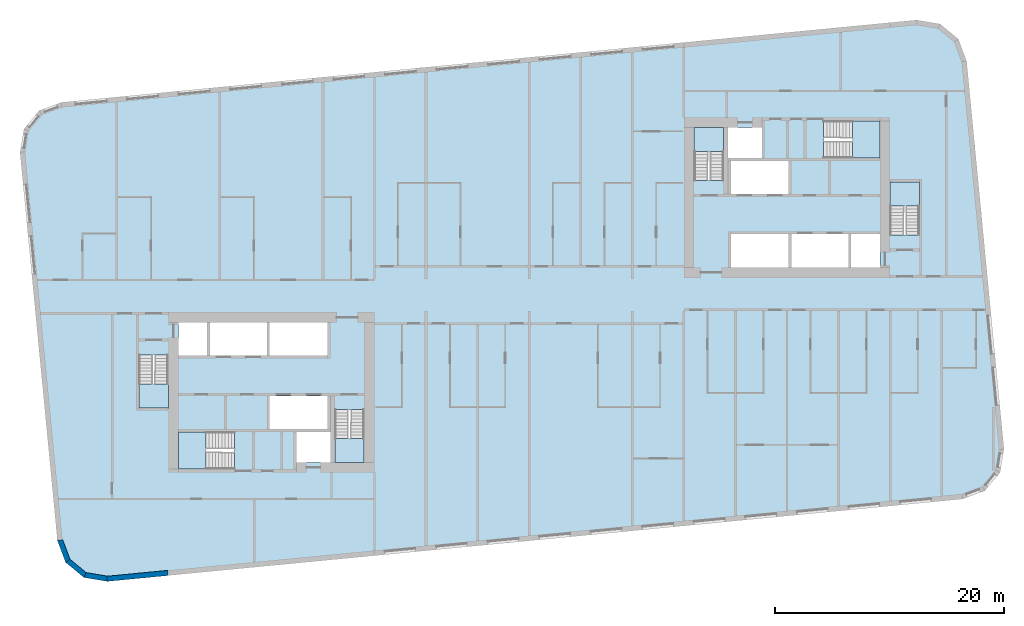
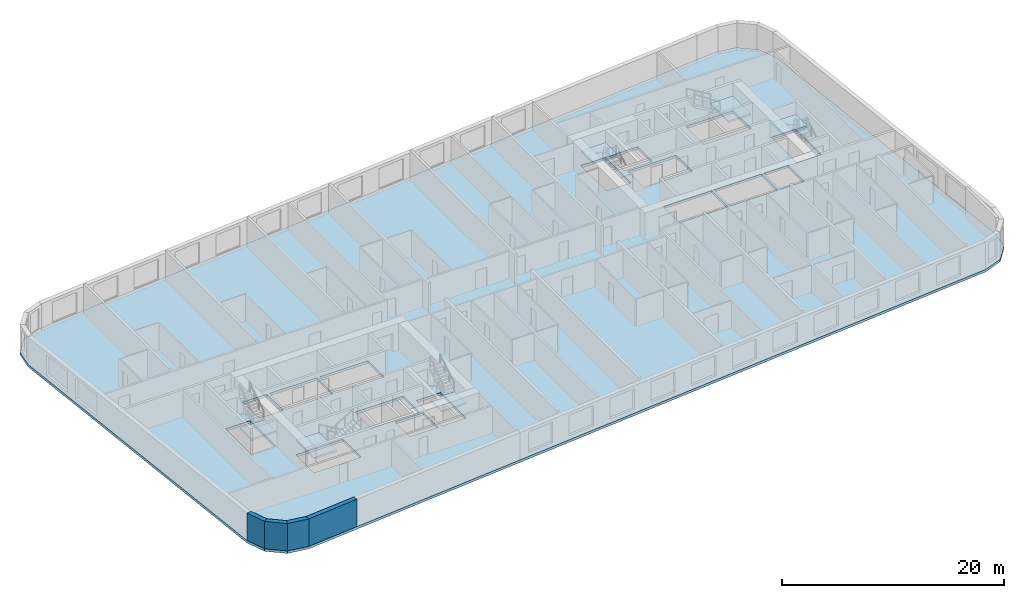
# One storey, part 1 of 12: 7 slabs, 4 walls, 6 elements without a shape of their own.
"""IFC4 building model written with IfcOpenShell, lengths in metres."""

from ifc_helpers import new_model, si_unit, direction, frame, frame_2d, origin, place, context, subcontext, project, spatial, polyline, rectangle, outline, extrude, material, layer, layer_set, type_object, element, aggregate, save


model = new_model("IFC4")

# Units and contexts
model_context = context("Model", 3, precision=1e-05, world=origin(), true_north=direction((0.0, 1.0)))
body_context = subcontext(model_context, "Body", "Model", "MODEL_VIEW")
ifc_project = project(units=[si_unit("LENGTHUNIT", "METRE"), si_unit("AREAUNIT", "SQUARE_METRE"), si_unit("VOLUMEUNIT", "CUBIC_METRE"), si_unit("PLANEANGLEUNIT", "RADIAN"), si_unit("MASSUNIT", "GRAM", prefix="KILO")], contexts=[model_context])

# Site, building, storey
site_placement = place(None, origin())
site = spatial("IfcSite", under=ifc_project, at=site_placement, CompositionType="ELEMENT")
building_placement = place(site_placement, origin())
building = spatial("IfcBuilding", under=site, at=building_placement, Name="Kajstack Hotel Tower", CompositionType="ELEMENT")
storey_placement = place(building_placement, frame((0.0, 0.0, 193.300048828125)))
storey = spatial("IfcBuildingStorey", under=building, at=storey_placement, Name="L46", CompositionType="ELEMENT", Elevation=193.300048828125)

# Slab
ifc_material_1 = material(Name="Concrete C40/50", Category="concrete")
ifc_layer_1 = layer(ifc_material_1, 0.280029296875)
ifc_layer_set_1 = layer_set([ifc_layer_1], Name="RC slab 280 C40/50 guest")
slab_type_1 = type_object("IfcSlabType", Name="RC slab 280 C40/50 guest", PredefinedType="FLOOR", material=ifc_layer_set_1)
slab_1_placement = place(storey_placement, frame((0.0, 0.0, -0.280029296875)))
element("IfcSlab", 1, at=slab_1_placement, inside=storey, type_object=slab_type_1, Name="S-slab-L46", PredefinedType="FLOOR", context=body_context, shape_type="SweptSolid", body=[
    extrude(outline(polyline([(-44.438232421875, 12.444091796875), (-41.1796875, -21.3994140625), (-40.454345703125, -23.3388671875), (-38.856689453125, -24.65576171875), (-36.814697265625, -24.99755859375), (37.840087890625, -17.80908203125), (39.779541015625, -17.083984375), (41.0966796875, -15.486328125), (41.438232421875, -13.444091796875), (38.1796875, 20.3994140625), (37.454345703125, 22.3388671875), (35.856689453125, 23.65576171875), (33.814697265625, 23.99755859375), (-40.840087890625, 16.80908203125), (-42.779541015625, 16.083984375), (-44.0966796875, 14.486328125), (-44.438232421875, 12.444091796875)]), holes=[polyline([(-22.64990234375, -11.699951171875), (-22.64990234375, -8.800048828125), (-17.60009765625, -8.800048828125), (-17.60009765625, -11.699951171875), (-22.64990234375, -11.699951171875)]), polyline([(-27.85009765625, -5.300048828125), (-27.85009765625, -2.39990234375), (-22.89990234375, -2.39990234375), (-22.89990234375, -5.300048828125), (-27.85009765625, -5.300048828125)]), polyline([(-22.64990234375, -5.300048828125), (-22.64990234375, -2.39990234375), (-17.60009765625, -2.39990234375), (-17.60009765625, -5.300048828125), (-22.64990234375, -5.300048828125)]), polyline([(-20.300048828125, -14.60009765625), (-17.35009765625, -14.60009765625), (-17.35009765625, -11.949951171875), (-20.300048828125, -11.949951171875), (-20.300048828125, -14.60009765625)]), polyline([(-30.60009765625, -5.300048828125), (-28.10009765625, -5.300048828125), (-28.10009765625, -2.39990234375), (-30.60009765625, -2.39990234375), (-30.60009765625, -5.300048828125)]), polyline([(17.60009765625, 8.800048828125), (17.60009765625, 11.699951171875), (22.64990234375, 11.699951171875), (22.64990234375, 8.800048828125), (17.60009765625, 8.800048828125)]), polyline([(22.89990234375, 2.39990234375), (22.89990234375, 5.300048828125), (27.85009765625, 5.300048828125), (27.85009765625, 2.39990234375), (22.89990234375, 2.39990234375)]), polyline([(17.60009765625, 2.39990234375), (17.60009765625, 5.300048828125), (22.64990234375, 5.300048828125), (22.64990234375, 2.39990234375), (17.60009765625, 2.39990234375)]), polyline([(20.300048828125, 14.60009765625), (17.35009765625, 14.60009765625), (17.35009765625, 11.949951171875), (20.300048828125, 11.949951171875), (20.300048828125, 14.60009765625)]), polyline([(30.60009765625, 5.300048828125), (28.10009765625, 5.300048828125), (28.10009765625, 2.39990234375), (30.60009765625, 2.39990234375), (30.60009765625, 5.300048828125)]), polyline([(-34.050048828125, -9.85009765625), (-31.5, -9.85009765625), (-31.5, -5.25), (-34.050048828125, -5.25), (-34.050048828125, -9.85009765625)]), polyline([(-16.949951171875, -14.60009765625), (-14.39990234375, -14.60009765625), (-14.39990234375, -10.0), (-16.949951171875, -10.0), (-16.949951171875, -14.60009765625)]), polyline([(-30.60009765625, -15.199951171875), (-25.699951171875, -15.199951171875), (-25.699951171875, -11.949951171875), (-30.60009765625, -11.949951171875), (-30.60009765625, -15.199951171875)]), polyline([(34.050048828125, 9.85009765625), (31.5, 9.85009765625), (31.5, 5.25), (34.050048828125, 5.25), (34.050048828125, 9.85009765625)]), polyline([(16.949951171875, 14.60009765625), (14.39990234375, 14.60009765625), (14.39990234375, 10.0), (16.949951171875, 10.0), (16.949951171875, 14.60009765625)]), polyline([(30.60009765625, 15.199951171875), (25.699951171875, 15.199951171875), (25.699951171875, 11.949951171875), (30.60009765625, 11.949951171875), (30.60009765625, 15.199951171875)])]), origin(), (0.0, 0.0, 1.0), 0.280029296875),
])

# Stair, slab
stair_type_1 = type_object("IfcStairType", Name="Exit stair 1200", PredefinedType="HALF_TURN_STAIR", material=ifc_material_1)
stair_1_placement = place(storey_placement, origin())
stair_1 = element("IfcStair", 2, at=stair_1_placement, inside=storey, type_object=stair_type_1, Name="L46 stair W1", PredefinedType="HALF_TURN_STAIR")
ifc_layer_2 = layer(ifc_material_1, 0.199951171875)
ifc_layer_set_2 = layer_set([ifc_layer_2], Name="Stair landing 200")
slab_type_2 = type_object("IfcSlabType", Name="Stair landing 200", PredefinedType="LANDING", material=ifc_layer_set_2)
slab_2_placement = place(storey_placement, frame((0.0, 0.0, 1.449951171875)))
slab_2 = element("IfcSlab", 3, at=slab_2_placement, type_object=slab_type_2, Name="W1 landing 1", PredefinedType="LANDING", context=body_context, shape_type="SweptSolid", body=[
    extrude(outline(polyline([(-34.050048828125, -7.77001953125), (-34.050048828125, -9.85009765625), (-31.5, -9.85009765625), (-31.5, -7.77001953125), (-34.050048828125, -7.77001953125)])), origin(), (0.0, 0.0, 1.0), 0.199951171875),
])
aggregate(stair_1, [slab_2])

stair_2_placement = place(storey_placement, origin())
stair_2 = element("IfcStair", 4, at=stair_2_placement, inside=storey, type_object=stair_type_1, Name="L46 stair W2", PredefinedType="HALF_TURN_STAIR")
slab_3_placement = place(storey_placement, frame((0.0, 0.0, 1.449951171875)))
slab_3 = element("IfcSlab", 5, at=slab_3_placement, type_object=slab_type_2, Name="W2 landing 1", PredefinedType="LANDING", context=body_context, shape_type="SweptSolid", body=[
    extrude(outline(polyline([(-16.949951171875, -12.52001953125), (-16.949951171875, -14.60009765625), (-14.39990234375, -14.60009765625), (-14.39990234375, -12.52001953125), (-16.949951171875, -12.52001953125)])), origin(), (0.0, 0.0, 1.0), 0.199951171875),
])
aggregate(stair_2, [slab_3])

stair_type_2 = type_object("IfcStairType", Name="Exit stair 1500", PredefinedType="HALF_TURN_STAIR", material=ifc_material_1)
stair_3_placement = place(storey_placement, origin())
stair_3 = element("IfcStair", 6, at=stair_3_placement, inside=storey, type_object=stair_type_2, Name="L46 stair W3", PredefinedType="HALF_TURN_STAIR")
slab_4_placement = place(storey_placement, frame((0.0, 0.0, 1.449951171875)))
slab_4 = element("IfcSlab", 7, at=slab_4_placement, type_object=slab_type_2, Name="W3 landing 1", PredefinedType="LANDING", context=body_context, shape_type="SweptSolid", body=[
    extrude(outline(polyline([(-28.219970703125, -11.949951171875), (-30.60009765625, -11.949951171875), (-30.60009765625, -15.199951171875), (-28.219970703125, -15.199951171875), (-28.219970703125, -11.949951171875)])), origin(), (0.0, 0.0, 1.0), 0.199951171875),
])
aggregate(stair_3, [slab_4])

stair_4_placement = place(storey_placement, origin())
stair_4 = element("IfcStair", 8, at=stair_4_placement, inside=storey, type_object=stair_type_1, Name="L46 stair E1", PredefinedType="HALF_TURN_STAIR")
slab_5_placement = place(storey_placement, frame((0.0, 0.0, 1.449951171875)))
slab_5 = element("IfcSlab", 9, at=slab_5_placement, type_object=slab_type_2, Name="E1 landing 1", PredefinedType="LANDING", context=body_context, shape_type="SweptSolid", body=[
    extrude(outline(polyline([(34.050048828125, 7.77001953125), (34.050048828125, 9.85009765625), (31.5, 9.85009765625), (31.5, 7.77001953125), (34.050048828125, 7.77001953125)])), origin(), (0.0, 0.0, 1.0), 0.199951171875),
])
aggregate(stair_4, [slab_5])

stair_5_placement = place(storey_placement, origin())
stair_5 = element("IfcStair", 10, at=stair_5_placement, inside=storey, type_object=stair_type_1, Name="L46 stair E2", PredefinedType="HALF_TURN_STAIR")
slab_6_placement = place(storey_placement, frame((0.0, 0.0, 1.449951171875)))
slab_6 = element("IfcSlab", 11, at=slab_6_placement, type_object=slab_type_2, Name="E2 landing 1", PredefinedType="LANDING", context=body_context, shape_type="SweptSolid", body=[
    extrude(outline(polyline([(16.949951171875, 12.52001953125), (16.949951171875, 14.60009765625), (14.39990234375, 14.60009765625), (14.39990234375, 12.52001953125), (16.949951171875, 12.52001953125)])), origin(), (0.0, 0.0, 1.0), 0.199951171875),
])
aggregate(stair_5, [slab_6])

stair_6_placement = place(storey_placement, origin())
stair_6 = element("IfcStair", 12, at=stair_6_placement, inside=storey, type_object=stair_type_2, Name="L46 stair E3", PredefinedType="HALF_TURN_STAIR")
slab_7_placement = place(storey_placement, frame((0.0, 0.0, 1.449951171875)))
slab_7 = element("IfcSlab", 13, at=slab_7_placement, type_object=slab_type_2, Name="E3 landing 1", PredefinedType="LANDING", context=body_context, shape_type="SweptSolid", body=[
    extrude(outline(polyline([(28.219970703125, 11.949951171875), (30.60009765625, 11.949951171875), (30.60009765625, 15.199951171875), (28.219970703125, 15.199951171875), (28.219970703125, 11.949951171875)])), origin(), (0.0, 0.0, 1.0), 0.199951171875),
])
aggregate(stair_6, [slab_7])

# Walls
ifc_material_2 = material(Name="Terracotta-faced brick masonry", Category="masonry")
ifc_layer_3 = layer(ifc_material_2, 0.449951171875)
ifc_layer_set_3 = layer_set([ifc_layer_3], Name="EW-TERRA")
wall_type = type_object("IfcWallType", Name="EW-TERRA", PredefinedType="SOLIDWALL", material=ifc_layer_set_3)
wall_1_placement = place(storey_placement, frame((-40.96875, -21.320556640625, 0.0), z_axis=(0.0, 0.0, 1.0), x_axis=(0.350192909346, -0.936677599948, 0.0)))
element("IfcWall", 14, at=wall_1_placement, inside=storey, type_object=wall_type, Name="E-wall-L46-01-00", PredefinedType="SOLIDWALL", context=body_context, shape_type="SweptSolid", body=[
    extrude(outline(polyline([(0.0, -0.22509765625), (2.070556640625, -0.22509765625), (1.949951171875, 0.22509765625), (0.12060546875, 0.224853515625), (0.0, -0.22509765625)])), origin(), (0.0, 0.0, 1.0), 3.02001953125),
])
wall_2_placement = place(storey_placement, frame((-40.311279296875, -23.165283203125, 0.0), z_axis=(0.0, 0.0, 1.0), x_axis=(0.771651049663, -0.636046112757, 0.0)))
element("IfcWall", 15, at=wall_2_placement, inside=storey, type_object=wall_type, Name="E-wall-L46-02-00", PredefinedType="SOLIDWALL", context=body_context, shape_type="SweptSolid", body=[
    extrude(outline(polyline([(0.0, -0.224853515625), (2.0703125, -0.22509765625), (1.94970703125, 0.224853515625), (0.12060546875, 0.22509765625), (0.0, -0.224853515625)])), origin(), (0.0, 0.0, 1.0), 3.02001953125),
])
wall_3_placement = place(storey_placement, frame((-38.819580078125, -24.433837890625, 0.0), z_axis=(0.0, 0.0, 1.0), x_axis=(0.986278951104, -0.165087342366, 0.0)))
element("IfcWall", 16, at=wall_3_placement, inside=storey, type_object=wall_type, Name="E-wall-L46-03-00", PredefinedType="SOLIDWALL", context=body_context, shape_type="SweptSolid", body=[
    extrude(outline(polyline([(0.0, -0.22509765625), (2.070556640625, -0.224853515625), (1.949951171875, 0.22509765625), (0.12060546875, 0.224853515625), (0.0, -0.22509765625)])), origin(), (0.0, 0.0, 1.0), 3.02001953125),
])
wall_4_placement = place(storey_placement, frame((-36.836181640625, -24.7734375, 0.0), z_axis=(0.0, 0.0, 1.0), x_axis=(0.995396705659, 0.095840483948, 0.0)))
element("IfcWall", 17, at=wall_4_placement, inside=storey, type_object=wall_type, Name="E-wall-L46-04-00", PredefinedType="SOLIDWALL", context=body_context, shape_type="SweptSolid", body=[
    extrude(rectangle(XDim=5.33935546875, YDim=0.449951171875, at=frame_2d((2.669677734375, 0.0))), origin(), (0.0, 0.0, 1.0), 3.02001953125),
])

save(model, "model.ifc")
